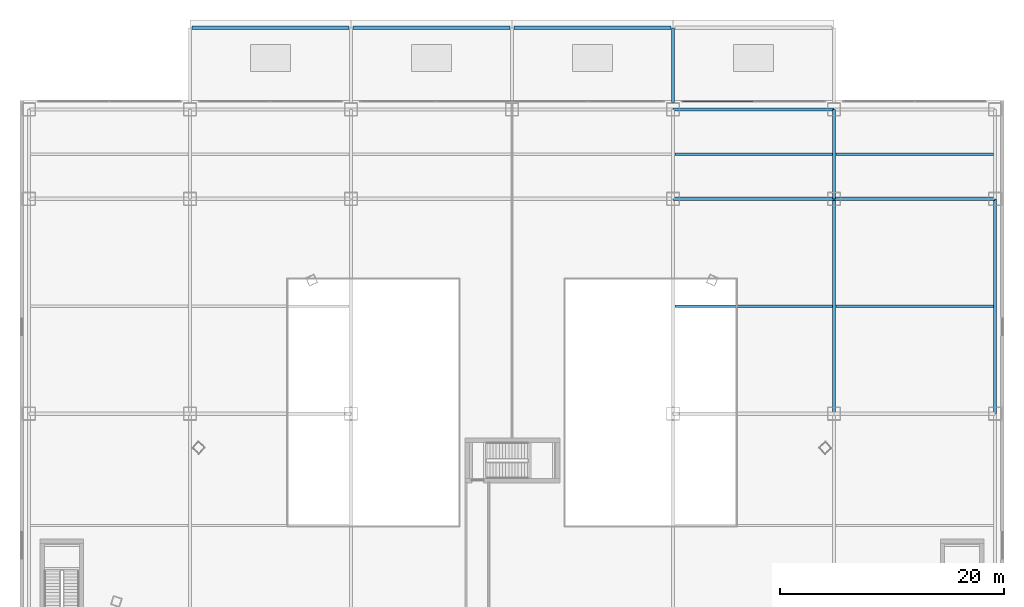
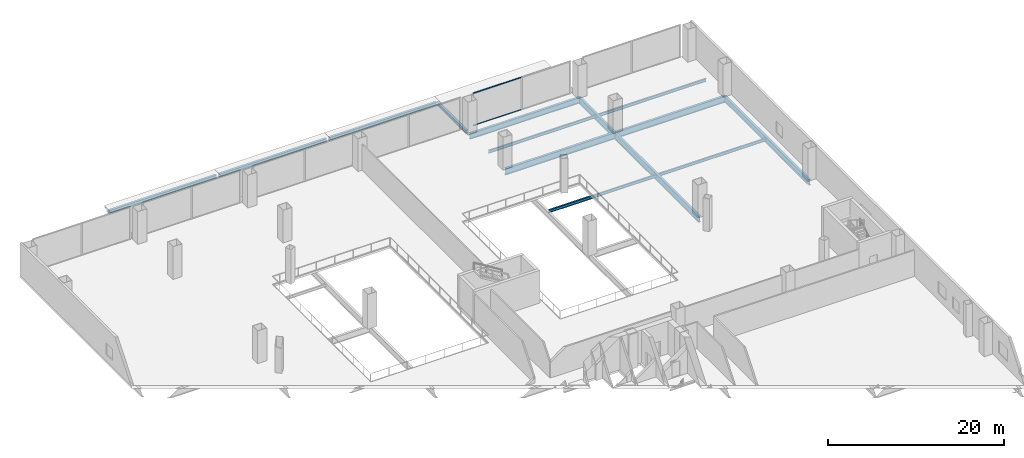
# One storey, part 26 of 42: 14 beams, 2 members, 1 element without a shape of its own.
"""IFC4 building model written with IfcOpenShell, lengths in metres."""

import ifcopenshell
import ifcopenshell.guid

model = None  # the IFC model being written
_history = None  # IfcOwnerHistory: only IFC2X3 demands one
_inside = {}  # id of a spatial element -> (the spatial element, [elements in it])
_under = {}  # id of a project, library or spatial element -> (it, [spatial elements below it])
_declared = {}  # id of a project -> (the project, [libraries it declares])
_typed = {}  # id of a type object -> (the type object, [elements of that type])
_made_of = {}  # id of a material, layer set ... -> (it, [elements and type objects made of it])


def new_model(schema):
    """Start an empty IFC model of exactly this schema.

    Asked for "IFC4X3", IfcOpenShell would pick the latest addendum, in which some entities
    have other attributes; the version numbers below select the first issue.
    IFC2X3 requires an IfcOwnerHistory on every rooted entity: one is made here for all.
    """
    global model, _history
    if schema == "IFC4X3":
        model = ifcopenshell.file(schema_version=(4, 3, 0, 0))
    else:
        model = ifcopenshell.file(schema=schema)
    _inside.clear()
    _under.clear()
    _declared.clear()
    _typed.clear()
    _made_of.clear()
    _history = None
    if model.schema == "IFC2X3":
        org = make("IfcOrganization", Name="unknown")
        user = make(
            "IfcPersonAndOrganization",
            ThePerson=make("IfcPerson", FamilyName="unknown"),
            TheOrganization=org,
        )
        app = make(
            "IfcApplication",
            ApplicationDeveloper=org,
            Version="unknown",
            ApplicationFullName="unknown",
            ApplicationIdentifier="unknown",
        )
        _history = make(
            "IfcOwnerHistory",
            OwningUser=user,
            OwningApplication=app,
            ChangeAction="ADDED",
            CreationDate=0,
        )
    return model


def make(cls, **values):
    """One entity of the class cls with the attributes given. An attribute that is None is left unset."""
    return model.create_entity(
        cls, **{name: value for name, value in values.items() if value is not None}
    )


def rooted(cls, **values):
    """An entity with a GlobalId (a new one), such as an element, a storey or a relation."""
    return make(cls, GlobalId=ifcopenshell.guid.new(), OwnerHistory=_history, **values)


def si_unit(unit_type, name, prefix=None):
    """IfcSIUnit, for example si_unit("LENGTHUNIT", "METRE", prefix="MILLI")."""
    return make("IfcSIUnit", UnitType=unit_type, Prefix=prefix, Name=name)


def assignment(units):
    """IfcUnitAssignment: the units of a project."""
    return None if units is None else make("IfcUnitAssignment", Units=units)


def point(xyz):
    """IfcCartesianPoint."""
    return None if xyz is None else make("IfcCartesianPoint", Coordinates=xyz)


def direction(xyz):
    """IfcDirection."""
    return None if xyz is None else make("IfcDirection", DirectionRatios=xyz)


def frame(location, z_axis=None, x_axis=None):
    """IfcAxis2Placement3D, a coordinate frame: its origin and axes. An axis left out is left unset."""
    return make(
        "IfcAxis2Placement3D",
        Location=point(location),
        Axis=direction(z_axis),
        RefDirection=direction(x_axis),
    )


def frame_2d(location, x_axis=None):
    """IfcAxis2Placement2D, a coordinate frame in the plane: its origin and x axis."""
    return make(
        "IfcAxis2Placement2D", Location=point(location), RefDirection=direction(x_axis)
    )


def origin():
    """The frame at (0, 0, 0) with its axes left unset."""
    return frame((0.0, 0.0, 0.0))


def origin_2d():
    """The frame at (0, 0) in the plane with its x axis left unset."""
    return frame_2d((0.0, 0.0))


def place(relative_to, where):
    """IfcLocalPlacement: puts the frame where relative to a parent placement (None: the world)."""
    return make(
        "IfcLocalPlacement", PlacementRelTo=relative_to, RelativePlacement=where
    )


def context(
    kind, dimensions, precision=None, world=None, true_north=None, identifier=None
):
    """IfcGeometricRepresentationContext, for example the 3D "Model" context."""
    return make(
        "IfcGeometricRepresentationContext",
        ContextIdentifier=identifier,
        ContextType=kind,
        CoordinateSpaceDimension=dimensions,
        Precision=precision,
        WorldCoordinateSystem=world,
        TrueNorth=true_north,
    )


def subcontext(parent, identifier, kind, view, scale=None):
    """IfcGeometricRepresentationSubContext, for example "Body" below "Model"."""
    return make(
        "IfcGeometricRepresentationSubContext",
        ContextIdentifier=identifier,
        ContextType=kind,
        ParentContext=parent,
        TargetScale=scale,
        TargetView=view,
    )


def project(units=None, contexts=None):
    """IfcProject with its units and contexts."""
    return rooted(
        "IfcProject",
        Name="project",
        RepresentationContexts=contexts,
        UnitsInContext=assignment(units),
    )


def spatial(cls, under=None, at=None, **own):
    """A site, building, storey or space (cls), placed at a placement, below another one or the project."""
    s = rooted(cls, ObjectPlacement=at, **own)
    if under is not None:
        _under.setdefault(under.id(), (under, []))[1].append(s)
    return s


def profile(cls, at=None, kind="AREA", **sizes):
    """A parametric profile (cls). Its sizes go by their IFC names, for example OverallWidth=200.0."""
    return make(cls, ProfileType=kind, Position=at, **sizes)


def hollow_rectangle(**sizes):
    """IfcRectangleHollowProfileDef."""
    return profile("IfcRectangleHollowProfileDef", **sizes)


def i_section(**sizes):
    """IfcIShapeProfileDef."""
    return profile("IfcIShapeProfileDef", **sizes)


def extrude(swept, where, along, depth):
    """IfcExtrudedAreaSolid: the profile swept, set in the frame where, extruded along a direction by depth."""
    return make(
        "IfcExtrudedAreaSolid",
        SweptArea=swept,
        Position=where,
        ExtrudedDirection=direction(along),
        Depth=depth,
    )


def shape(context_of_items, identifier, shape_type, items):
    """IfcShapeRepresentation: the items that make up one representation, for example the "Body"."""
    return make(
        "IfcShapeRepresentation",
        ContextOfItems=context_of_items,
        RepresentationIdentifier=identifier,
        RepresentationType=shape_type,
        Items=items,
    )


def source(mapping_origin, context_of_items, identifier, shape_type, items):
    """IfcRepresentationMap: a shape defined once, which mapped items show again and again."""
    return make(
        "IfcRepresentationMap",
        MappingOrigin=mapping_origin,
        MappedRepresentation=shape(context_of_items, identifier, shape_type, items),
    )


def transform(
    local_origin,
    x_axis=None,
    y_axis=None,
    z_axis=None,
    scale=None,
    scale2=None,
    scale3=None,
    uniform=True,
):
    """IfcCartesianTransformationOperator3D, or its non-uniform kind. x_axis, y_axis, z_axis: its Axis1, 2, 3."""
    if uniform:
        return make(
            "IfcCartesianTransformationOperator3D",
            Axis1=direction(x_axis),
            Axis2=direction(y_axis),
            LocalOrigin=point(local_origin),
            Scale=scale,
            Axis3=direction(z_axis),
        )
    return make(
        "IfcCartesianTransformationOperator3DnonUniform",
        Axis1=direction(x_axis),
        Axis2=direction(y_axis),
        LocalOrigin=point(local_origin),
        Scale=scale,
        Axis3=direction(z_axis),
        Scale2=scale2,
        Scale3=scale3,
    )


def mapped(mapping_source, mapping_target):
    """IfcMappedItem: shows the shape of a source again, moved by a transform."""
    return make(
        "IfcMappedItem", MappingSource=mapping_source, MappingTarget=mapping_target
    )


def material(Name=None, Category=None):
    """IfcMaterial."""
    return make("IfcMaterial", Name=Name, Category=Category)


def layer(
    of_material, thickness, ventilated=None, Name=None, Category=None, Priority=None
):
    """IfcMaterialLayer: one layer of a wall or slab, of a material (None: an air gap)."""
    return make(
        "IfcMaterialLayer",
        Material=of_material,
        LayerThickness=thickness,
        IsVentilated=ventilated,
        Name=Name,
        Category=Category,
        Priority=Priority,
    )


def layer_set(layers, Name=None):
    """IfcMaterialLayerSet."""
    return make("IfcMaterialLayerSet", MaterialLayers=layers, LayerSetName=Name)


def material_profile(
    of_material, cross_section, Name=None, Category=None, Priority=None
):
    """IfcMaterialProfile: a cross section and its material."""
    return make(
        "IfcMaterialProfile",
        Name=Name,
        Material=of_material,
        Profile=cross_section,
        Priority=Priority,
        Category=Category,
    )


def profile_set(profiles, Name=None, composite=None):
    """IfcMaterialProfileSet."""
    return make(
        "IfcMaterialProfileSet",
        Name=Name,
        MaterialProfiles=profiles,
        CompositeProfile=composite,
    )


def made_of(thing, what):
    """Note that an element or type object is made of a material, layer set ...; save() writes the relation."""
    if what is not None:
        _made_of.setdefault(what.id(), (what, []))[1].append(thing)
    return thing


def type_object(cls, material=None, **own):
    """A type object (cls), such as IfcWallType, which elements share."""
    return made_of(rooted(cls, **own), material)


def element(
    cls,
    number,
    at=None,
    inside=None,
    cuts=None,
    type_object=None,
    material=None,
    context=None,
    identifier="Body",
    shape_type=None,
    held_by="IfcProductDefinitionShape",
    body=None,
    shapes=None,
    **own,
):
    """One element of the class cls, such as IfcWall. Its Tag is "e" and its number.

    at: its placement. inside: the storey or other place that contains it. cuts: it is an
    opening in that element (IfcRelVoidsElement). A single representation is given by context,
    identifier, shape_type and body (its items); several are given by shapes. held_by: the class
    of the entity that holds the representations. save() writes the other relations.
    """
    e = rooted(cls, Tag="e%d" % number, ObjectPlacement=at, **own)
    if body is not None:
        shapes = [shape(context, identifier, shape_type, body)]
    if shapes is not None:
        e.Representation = make(held_by, Representations=shapes)
    if inside is not None:
        _inside.setdefault(inside.id(), (inside, []))[1].append(e)
    if cuts is not None:
        rooted(
            "IfcRelVoidsElement", RelatingBuildingElement=cuts, RelatedOpeningElement=e
        )
    if type_object is not None:
        _typed.setdefault(type_object.id(), (type_object, []))[1].append(e)
    return made_of(e, material)


def aggregate(whole, parts):
    """IfcRelAggregates: a whole, such as a stair, and the parts it consists of."""
    return rooted("IfcRelAggregates", RelatingObject=whole, RelatedObjects=parts)


def save(model, path):
    """Write the relations noted so far, then the file.

    IfcRelAggregates (storeys below a building ...), IfcRelContainedInSpatialStructure (elements
    in a storey), IfcRelDefinesByType, IfcRelAssociatesMaterial and IfcRelDeclares: one each for
    every whole, place, type object, material and project.
    """
    for whole, parts in _under.values():
        aggregate(whole, parts)
    for where, things in _inside.values():
        rooted(
            "IfcRelContainedInSpatialStructure",
            RelatedElements=things,
            RelatingStructure=where,
        )
    for kind, things in _typed.values():
        rooted("IfcRelDefinesByType", RelatedObjects=things, RelatingType=kind)
    for what, things in _made_of.values():
        rooted("IfcRelAssociatesMaterial", RelatedObjects=things, RelatingMaterial=what)
    for by, libraries in _declared.values():
        rooted("IfcRelDeclares", RelatingContext=by, RelatedDefinitions=libraries)
    model.write(path)


model = new_model("IFC4")

# Units and contexts
model_context = context("Model", 3, precision=1e-05, world=origin(), true_north=direction((0.0, 1.0)))
body_context = subcontext(model_context, "Body", "Model", "MODEL_VIEW")
ifc_project = project(units=[si_unit("LENGTHUNIT", "METRE"), si_unit("AREAUNIT", "SQUARE_METRE"), si_unit("VOLUMEUNIT", "CUBIC_METRE"), si_unit("PLANEANGLEUNIT", "RADIAN"), si_unit("MASSUNIT", "GRAM", prefix="KILO"), si_unit("THERMODYNAMICTEMPERATUREUNIT", "KELVIN"), si_unit("POWERUNIT", "WATT")], contexts=[model_context])

# Site, building, storey
site_placement = place(None, origin())
site = spatial("IfcSite", under=ifc_project, at=site_placement, CompositionType="ELEMENT")
building_placement = place(site_placement, origin())
building = spatial("IfcBuilding", under=site, at=building_placement, Name="Yunzhuo Pagoda Commons", CompositionType="ELEMENT")
storey_placement = place(building_placement, frame((0.0, 0.0, 4.800048828125)))
storey = spatial("IfcBuildingStorey", under=building, at=storey_placement, Name="L02", CompositionType="ELEMENT", Elevation=4.800048828125)

# Beams
ifc_material_1 = material(Name="Structural steel Q355B", Category="steel")
ifc_material_profile_1 = material_profile(ifc_material_1, i_section(OverallWidth=0.300048828125, OverallDepth=0.800048828125, WebThickness=0.013916015625, FlangeThickness=0.02587890625, at=origin_2d()), Name="Structural steel Q355B")
ifc_profile_set_1 = profile_set([ifc_material_profile_1], Name="Structural steel Q355B")
beam_type_1 = type_object("IfcBeamType", Name="B-PD2 Beam HN 800x300x14x26", PredefinedType="BEAM", material=ifc_profile_set_1)
shared_shape_1 = source(origin(), body_context, "Body", "SweptSolid", [
    extrude(i_section(OverallWidth=0.300048828125, OverallDepth=0.800048828125, WebThickness=0.013916015625, FlangeThickness=0.02587890625, at=origin_2d()), origin(), (0.0, 0.0, 1.0), 14.400146484375),
])
beam_1_placement = place(storey_placement, frame((62.39990234375, 89.199951171875, -0.679931640625), z_axis=(1.0, 0.0, 0.0), x_axis=(0.0, 1.0, 0.0)))
element("IfcBeam", 1, at=beam_1_placement, inside=storey, type_object=beam_type_1, Name="L02 podium girder EW 6.4", PredefinedType="BEAM", context=body_context, shape_type="MappedRepresentation", body=[
    mapped(shared_shape_1, transform((0.0, 0.0, 0.0), scale=1.0)),
])
ifc_material_profile_2 = material_profile(ifc_material_1, i_section(OverallWidth=0.300048828125, OverallDepth=0.89990234375, WebThickness=0.01611328125, FlangeThickness=0.028076171875, at=origin_2d()), Name="Structural steel Q355B")
ifc_profile_set_2 = profile_set([ifc_material_profile_2], Name="Structural steel Q355B")
beam_type_2 = type_object("IfcBeamType", Name="B-PD1 Beam HN 900x300x16x28", PredefinedType="BEAM", material=ifc_profile_set_2)
shared_shape_2 = source(origin(), body_context, "Body", "SweptSolid", [
    extrude(i_section(OverallWidth=0.300048828125, OverallDepth=0.89990234375, WebThickness=0.01611328125, FlangeThickness=0.028076171875, at=origin_2d()), origin(), (0.0, 0.0, 1.0), 14.39990234375),
])
beam_2_placement = place(storey_placement, frame((76.800048828125, 81.199951171875, -0.72998046875), z_axis=(1.0, 0.0, 0.0), x_axis=(0.0, 1.0, 0.0)))
element("IfcBeam", 2, at=beam_2_placement, inside=storey, type_object=beam_type_2, Name="L02 podium girder EW 5.5", PredefinedType="BEAM", context=body_context, shape_type="MappedRepresentation", body=[
    mapped(shared_shape_2, transform((0.0, 0.0, 0.0), scale=1.0)),
])
shared_shape_3 = source(origin(), body_context, "Body", "SweptSolid", [
    extrude(i_section(OverallWidth=0.300048828125, OverallDepth=0.89990234375, WebThickness=0.01611328125, FlangeThickness=0.028076171875, at=origin_2d()), origin(), (0.0, 0.0, 1.0), 14.400146484375),
])
beam_3_placement = place(storey_placement, frame((62.39990234375, 81.199951171875, -0.72998046875), z_axis=(1.0, 0.0, 0.0), x_axis=(0.0, 1.0, 0.0)))
element("IfcBeam", 3, at=beam_3_placement, inside=storey, type_object=beam_type_2, Name="L02 podium girder EW 5.4", PredefinedType="BEAM", context=body_context, shape_type="MappedRepresentation", body=[
    mapped(shared_shape_3, transform((0.0, 0.0, 0.0), scale=1.0)),
])
ifc_material_profile_3 = material_profile(ifc_material_1, i_section(OverallWidth=0.199951171875, OverallDepth=0.39990234375, WebThickness=0.008056640625, FlangeThickness=0.012939453125, at=origin_2d()), Name="Structural steel Q355B")
ifc_profile_set_3 = profile_set([ifc_material_profile_3], Name="Structural steel Q355B")
beam_type_3 = type_object("IfcBeamType", Name="B-JS1 Joist HN 400x200x8x13", PredefinedType="JOIST", material=ifc_profile_set_3)
shared_shape_4 = source(origin(), body_context, "Body", "SweptSolid", [
    extrude(i_section(OverallWidth=0.199951171875, OverallDepth=0.39990234375, WebThickness=0.008056640625, FlangeThickness=0.012939453125, at=origin_2d()), origin(), (0.0, 0.0, 1.0), 14.08984375),
])
for number, where, z_axis, x_axis, name in (
    (4, (76.955078125, 71.60009765625, -0.47998046875), (1.0, 0.0, 0.0), (0.0, 1.0, 0.0), "L02 podium composite joist 5.4"),
    (5, (76.955078125, 85.199951171875, -0.47998046875), (1.0, 0.0, 0.0), (0.0, 1.0, 0.0), "L02 podium composite joist 5.5"),
):
    element("IfcBeam", number, at=place(storey_placement, frame(where, z_axis=z_axis, x_axis=x_axis)), inside=storey, type_object=beam_type_3, Name=name, PredefinedType="JOIST", context=body_context, shape_type="MappedRepresentation", body=[
        mapped(shared_shape_4, transform((0.0, 0.0, 0.0), scale=1.0)),
    ])
shared_shape_5 = source(origin(), body_context, "Body", "SweptSolid", [
    extrude(i_section(OverallWidth=0.300048828125, OverallDepth=0.800048828125, WebThickness=0.013916015625, FlangeThickness=0.02587890625, at=origin_2d()), origin(), (0.0, 0.0, 1.0), 19.199951171875),
])
beam_4_placement = place(storey_placement, frame((91.199951171875, 62.0, -0.679931640625), z_axis=(0.0, 1.0, 0.0), x_axis=(-1.0, 0.0, 0.0)))
element("IfcBeam", 6, at=beam_4_placement, inside=storey, type_object=beam_type_1, Name="L02 podium girder NS 6.4", PredefinedType="BEAM", context=body_context, shape_type="MappedRepresentation", body=[
    mapped(shared_shape_5, transform((0.0, 0.0, 0.0), scale=1.0)),
])
shared_shape_6 = source(origin(), body_context, "Body", "SweptSolid", [
    extrude(i_section(OverallWidth=0.300048828125, OverallDepth=0.89990234375, WebThickness=0.01611328125, FlangeThickness=0.028076171875, at=origin_2d()), origin(), (0.0, 0.0, 1.0), 19.199951171875),
])
beam_5_placement = place(storey_placement, frame((76.800048828125, 62.0, -0.72998046875), z_axis=(0.0, 1.0, 0.0), x_axis=(-1.0, 0.0, 0.0)))
element("IfcBeam", 7, at=beam_5_placement, inside=storey, type_object=beam_type_2, Name="L02 podium girder NS 5.4", PredefinedType="BEAM", context=body_context, shape_type="MappedRepresentation", body=[
    mapped(shared_shape_6, transform((0.0, 0.0, 0.0), scale=1.0)),
])
shared_shape_7 = source(origin(), body_context, "Body", "SweptSolid", [
    extrude(i_section(OverallWidth=0.300048828125, OverallDepth=0.89990234375, WebThickness=0.01611328125, FlangeThickness=0.028076171875, at=origin_2d()), origin(), (0.0, 0.0, 1.0), 8.0),
])
beam_6_placement = place(storey_placement, frame((76.800048828125, 81.199951171875, -0.72998046875), z_axis=(0.0, 1.0, 0.0), x_axis=(-1.0, 0.0, 0.0)))
element("IfcBeam", 8, at=beam_6_placement, inside=storey, type_object=beam_type_2, Name="L02 podium girder NS 5.5", PredefinedType="BEAM", context=body_context, shape_type="MappedRepresentation", body=[
    mapped(shared_shape_7, transform((0.0, 0.0, 0.0), scale=1.0)),
])
shared_shape_8 = source(origin(), body_context, "Body", "SweptSolid", [
    extrude(i_section(OverallWidth=0.199951171875, OverallDepth=0.39990234375, WebThickness=0.008056640625, FlangeThickness=0.012939453125, at=origin_2d()), origin(), (0.0, 0.0, 1.0), 14.09033203125),
])
for number, where, z_axis, x_axis, name in (
    (9, (62.554931640625, 71.60009765625, -0.47998046875), (1.0, 0.0, 0.0), (0.0, 1.0, 0.0), "L02 podium composite joist 4.4"),
    (10, (62.554931640625, 85.199951171875, -0.47998046875), (1.0, 0.0, 0.0), (0.0, 1.0, 0.0), "L02 podium composite joist 4.5"),
):
    element("IfcBeam", number, at=place(storey_placement, frame(where, z_axis=z_axis, x_axis=x_axis)), inside=storey, type_object=beam_type_3, Name=name, PredefinedType="JOIST", context=body_context, shape_type="MappedRepresentation", body=[
        mapped(shared_shape_8, transform((0.0, 0.0, 0.0), scale=1.0)),
    ])
ifc_material_profile_4 = material_profile(ifc_material_1, i_section(OverallWidth=0.300048828125, OverallDepth=0.43994140625, WebThickness=0.010986328125, FlangeThickness=0.01806640625, at=origin_2d()), Name="Structural steel Q355B")
ifc_profile_set_4 = profile_set([ifc_material_profile_4], Name="Structural steel Q355B")
beam_type_4 = type_object("IfcBeamType", Name="B-SP2 Beam HM 440x300x11x18", PredefinedType="BEAM", material=ifc_profile_set_4)
shared_shape_9 = source(origin(), body_context, "Body", "SweptSolid", [
    extrude(i_section(OverallWidth=0.300048828125, OverallDepth=0.43994140625, WebThickness=0.010986328125, FlangeThickness=0.01806640625, at=origin_2d()), origin(), (0.0, 0.0, 1.0), 6.699951171875),
])
beam_7_placement = place(storey_placement, frame((62.39990234375, 89.800048828125, -0.5), z_axis=(0.0, 1.0, 0.0), x_axis=(-1.0, 0.0, 0.0)))
element("IfcBeam", 11, at=beam_7_placement, inside=storey, type_object=beam_type_4, Name="North canopy girder 4", PredefinedType="BEAM", context=body_context, shape_type="MappedRepresentation", body=[
    mapped(shared_shape_9, transform((0.0, 0.0, 0.0), scale=1.0)),
])
shared_shape_10 = source(origin(), body_context, "Body", "SweptSolid", [
    extrude(i_section(OverallWidth=0.300048828125, OverallDepth=0.43994140625, WebThickness=0.010986328125, FlangeThickness=0.01806640625, at=origin_2d()), origin(), (0.0, 0.0, 1.0), 14.079833984375),
])
beam_8_placement = place(storey_placement, frame((19.360107421875, 96.5, -0.5), z_axis=(1.0, 0.0, 0.0), x_axis=(0.0, 1.0, 0.0)))
element("IfcBeam", 12, at=beam_8_placement, inside=storey, type_object=beam_type_4, Name="North canopy edge beam 1", PredefinedType="BEAM", context=body_context, shape_type="MappedRepresentation", body=[
    mapped(shared_shape_10, transform((0.0, 0.0, 0.0), scale=1.0)),
])
shared_shape_11 = source(origin(), body_context, "Body", "SweptSolid", [
    extrude(i_section(OverallWidth=0.300048828125, OverallDepth=0.43994140625, WebThickness=0.010986328125, FlangeThickness=0.01806640625, at=origin_2d()), origin(), (0.0, 0.0, 1.0), 14.080078125),
])
for number, where, z_axis, x_axis, name in (
    (13, (33.760009765625, 96.5, -0.5), (1.0, 0.0, 0.0), (0.0, 1.0, 0.0), "North canopy edge beam 2"),
    (14, (48.159912109375, 96.5, -0.5), (1.0, 0.0, 0.0), (0.0, 1.0, 0.0), "North canopy edge beam 3"),
):
    element("IfcBeam", number, at=place(storey_placement, frame(where, z_axis=z_axis, x_axis=x_axis)), inside=storey, type_object=beam_type_4, Name=name, PredefinedType="BEAM", context=body_context, shape_type="MappedRepresentation", body=[
        mapped(shared_shape_11, transform((0.0, 0.0, 0.0), scale=1.0)),
    ])

# Curtain wall, members
ifc_material_2 = material(Name="Anodized aluminium 6063-T6", Category="aluminium")
ifc_layer = layer(ifc_material_2, 0.179931640625)
ifc_layer_set = layer_set([ifc_layer], Name="Anodized aluminium 6063-T6")
curtain_wall_type = type_object("IfcCurtainWallType", Name="CW-POD Waterfront Podium Curtain Wall", PredefinedType="NOTDEFINED", material=ifc_layer_set)
curtain_wall_placement = place(storey_placement, origin())
curtain_wall = element("IfcCurtainWall", 15, at=curtain_wall_placement, inside=storey, type_object=curtain_wall_type, Name="L02 curtain wall CW-L02-N4", PredefinedType="NOTDEFINED")
ifc_material_profile_5 = material_profile(ifc_material_2, hollow_rectangle(XDim=0.06005859375, YDim=0.14990234375, WallThickness=0.00390625, at=origin_2d()), Name="Anodized aluminium 6063-T6")
ifc_profile_set_5 = profile_set([ifc_material_profile_5], Name="Anodized aluminium 6063-T6")
member_type = type_object("IfcMemberType", Name="CW-POD-T Transom RHS 150x60x4", PredefinedType="USERDEFINED", material=ifc_profile_set_5)
shared_shape_12 = source(origin(), body_context, "Body", "SweptSolid", [
    extrude(hollow_rectangle(XDim=0.06005859375, YDim=0.14990234375, WallThickness=0.00390625, at=origin_2d()), origin(), (0.0, 0.0, 1.0), 6.302490234375),
])
member_1_placement = place(storey_placement, frame((63.264892578125, 89.919921875, 0.030029296875), z_axis=(1.0, 0.0, 0.0), x_axis=(0.0, 1.0, 0.0)))
member_1 = element("IfcMember", 16, at=member_1_placement, type_object=member_type, Name="CW transom 1.1", ObjectType="TRANSOM", PredefinedType="USERDEFINED", context=body_context, shape_type="MappedRepresentation", body=[
    mapped(shared_shape_12, transform((0.0, 0.0, 0.0), scale=1.0)),
])
member_2_placement = place(storey_placement, frame((63.264892578125, 89.919921875, 4.489990234375), z_axis=(1.0, 0.0, 0.0), x_axis=(0.0, 1.0, 0.0)))
member_2 = element("IfcMember", 17, at=member_2_placement, type_object=member_type, Name="CW transom 1.2", ObjectType="TRANSOM", PredefinedType="USERDEFINED", context=body_context, shape_type="MappedRepresentation", body=[
    mapped(shared_shape_12, transform((0.0, 0.0, 0.0), scale=1.0)),
])
aggregate(curtain_wall, [member_1, member_2])

save(model, "model.ifc")
